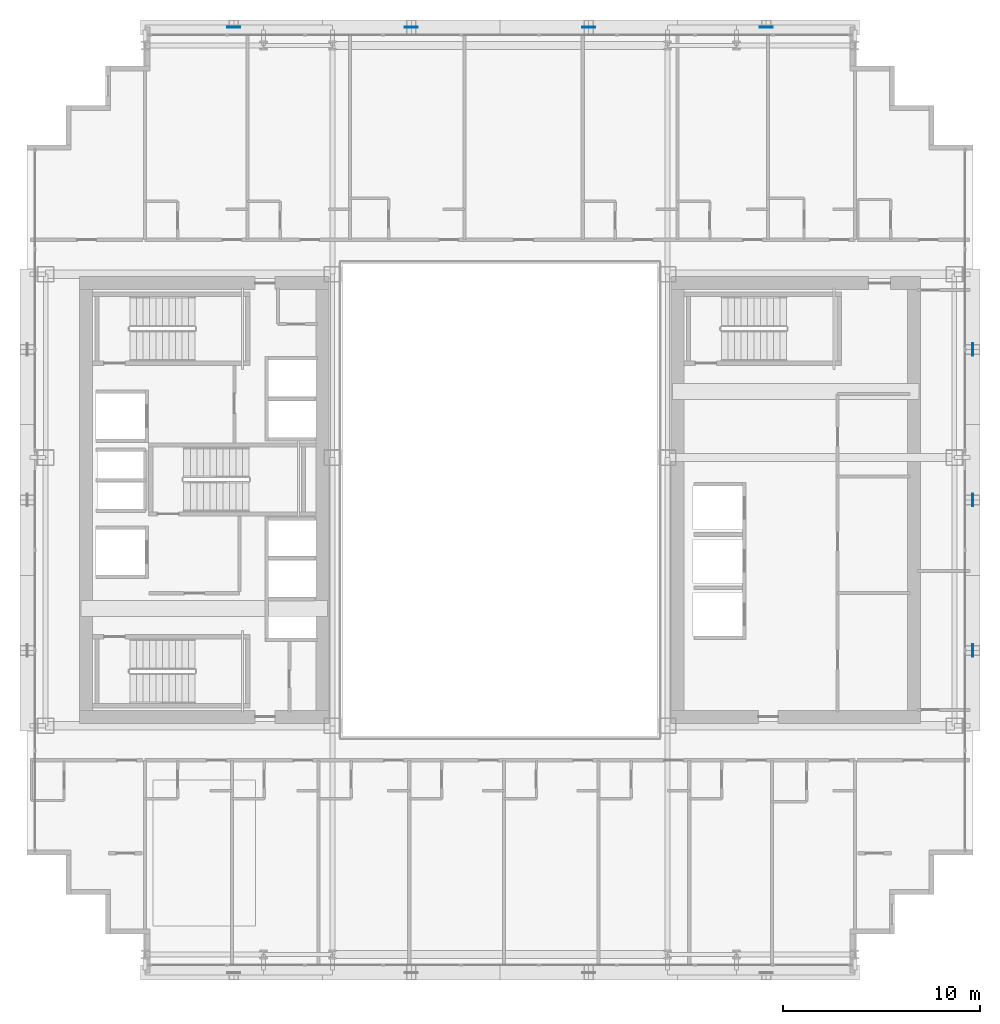
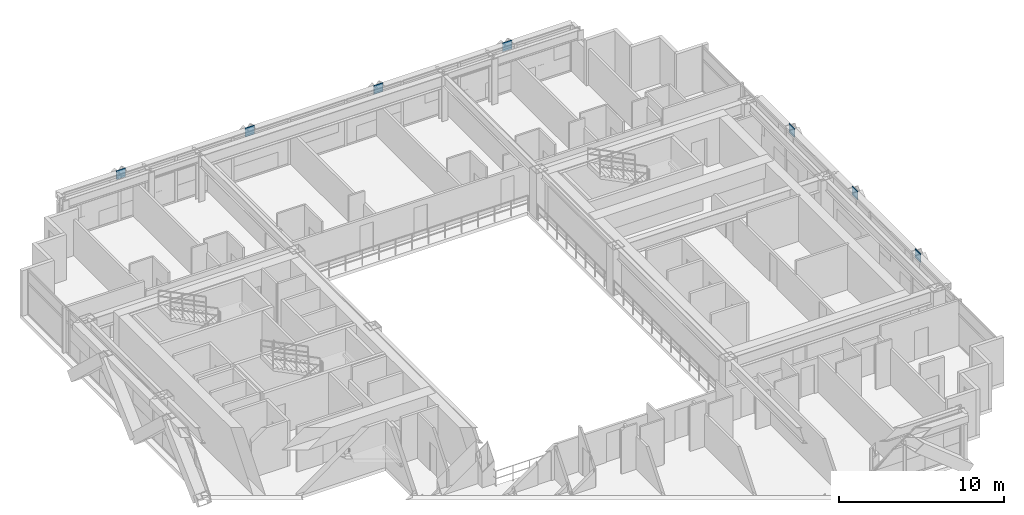
# One storey, part 26 of 36: 7 plates.
"""IFC4 building model written with IfcOpenShell, lengths in metres."""

from ifc_helpers import new_model, si_unit, direction, frame, origin, origin_2d, place, context, subcontext, project, spatial, rectangle, extrude, source, transform, mapped, material, layer, layer_set, type_object, element, save


model = new_model("IFC4")

# Units and contexts
model_context = context("Model", 3, precision=1e-05, world=origin(), true_north=direction((0.0, 1.0)))
body_context = subcontext(model_context, "Body", "Model", "MODEL_VIEW")
ifc_project = project(units=[si_unit("LENGTHUNIT", "METRE"), si_unit("AREAUNIT", "SQUARE_METRE"), si_unit("VOLUMEUNIT", "CUBIC_METRE"), si_unit("PLANEANGLEUNIT", "RADIAN"), si_unit("MASSUNIT", "GRAM", prefix="KILO")], contexts=[model_context])

# Site, building, storey
site_placement = place(None, origin())
site = spatial("IfcSite", under=ifc_project, at=site_placement, CompositionType="ELEMENT")
building_placement = place(site_placement, origin())
building = spatial("IfcBuilding", under=site, at=building_placement, Name="Ocotamira Hotel", CompositionType="ELEMENT")
storey_placement = place(building_placement, frame((0.0, 0.0, 97.199951171875)))
storey = spatial("IfcBuildingStorey", under=building, at=storey_placement, Name="L23", CompositionType="ELEMENT", Elevation=97.199951171875)

# Plates
ifc_material = material(Name="Pale-metal coated steel ASTM A572 Grade 50", Category="steel")
ifc_layer = layer(ifc_material, 0.0400390625)
ifc_layer_set = layer_set([ifc_layer], Name="Pale-metal coated steel ASTM A572 Grade 50")
plate_type = type_object("IfcPlateType", Name="PLT-GUSSET-40", PredefinedType="SHEET", material=ifc_layer_set)
shared_shape_1 = source(origin(), body_context, "Body", "SweptSolid", [
    extrude(rectangle(XDim=0.64990234375, YDim=0.0400390625, at=origin_2d()), origin(), (0.0, 0.0, 1.0), 0.64990234375),
])
for number, where, z_axis, x_axis, name in (
    (1, (18.5, 49.969970703125, 2.78515625), (0.0, 0.0, 1.0), (1.0, 0.0, 0.0), "L23 Exoskeleton Diagrid N0.1 End Gusset B"),
    (2, (27.5, 49.969970703125, 2.78515625), (0.0, 0.0, 1.0), (1.0, 0.0, 0.0), "L23 Exoskeleton Diagrid N1.1 End Gusset B"),
    (3, (36.5, 49.969970703125, 2.78515625), (0.0, 0.0, 1.0), (1.0, 0.0, 0.0), "L23 Exoskeleton Diagrid N2.1 End Gusset B"),
    (4, (45.5, 49.969970703125, 2.78515625), (0.0, 0.0, 1.0), (1.0, 0.0, 0.0), "L23 Exoskeleton Diagrid N3.1 End Gusset B"),
):
    element("IfcPlate", number, at=place(storey_placement, frame(where, z_axis=z_axis, x_axis=x_axis)), inside=storey, type_object=plate_type, Name=name, PredefinedType="SHEET", context=body_context, shape_type="MappedRepresentation", body=[
        mapped(shared_shape_1, transform((0.0, 0.0, 0.0), scale=1.0)),
    ])
shared_shape_2 = source(origin(), body_context, "Body", "SweptSolid", [
    extrude(rectangle(XDim=0.0400390625, YDim=0.64990234375, at=origin_2d()), origin(), (0.0, 0.0, 1.0), 0.64990234375),
])
for number, where, z_axis, x_axis, name in (
    (5, (55.969970703125, 18.36669921875, 2.78515625), (0.0, 0.0, 1.0), (1.0, 0.0, 0.0), "L23 Exoskeleton Diagrid E0.1 End Gusset B"),
    (6, (55.969970703125, 26.0, 2.78515625), (0.0, 0.0, 1.0), (1.0, 0.0, 0.0), "L23 Exoskeleton Diagrid E1.1 End Gusset B"),
    (7, (55.969970703125, 33.63330078125, 2.78515625), (0.0, 0.0, 1.0), (1.0, 0.0, 0.0), "L23 Exoskeleton Diagrid E2.1 End Gusset B"),
):
    element("IfcPlate", number, at=place(storey_placement, frame(where, z_axis=z_axis, x_axis=x_axis)), inside=storey, type_object=plate_type, Name=name, PredefinedType="SHEET", context=body_context, shape_type="MappedRepresentation", body=[
        mapped(shared_shape_2, transform((0.0, 0.0, 0.0), scale=1.0)),
    ])

save(model, "model.ifc")
